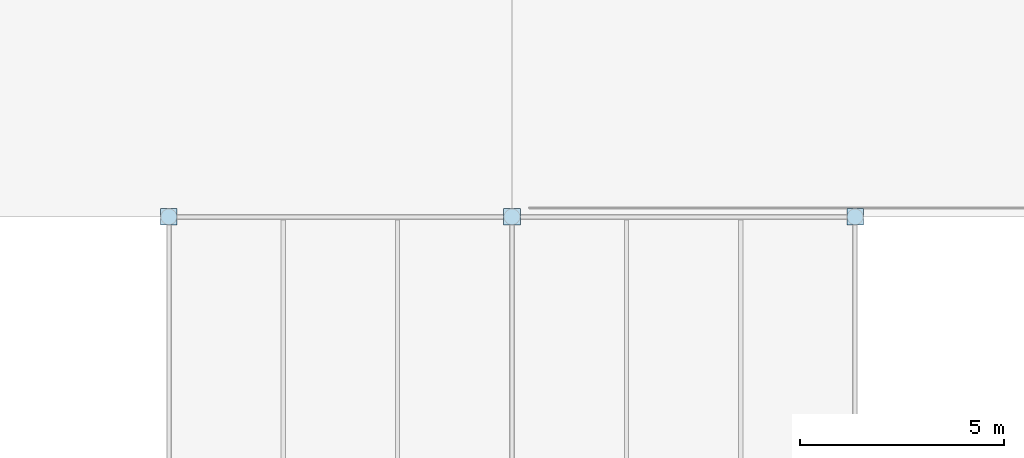
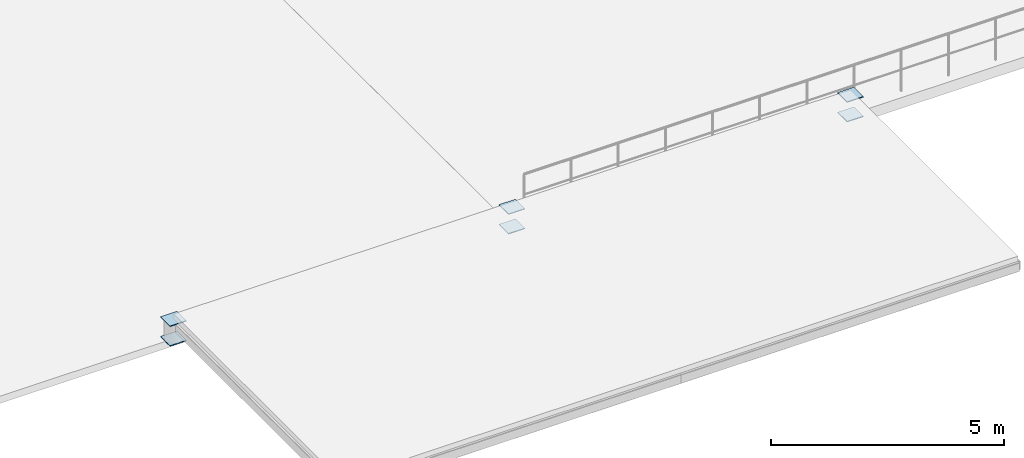
# One storey, part 56 of 73: 6 plates.
"""IFC4 building model written with IfcOpenShell, lengths in metres."""

from ifc_helpers import new_model, si_unit, derived_unit, direction, frame, origin, origin_2d, place, context, subcontext, project, spatial, rectangle, extrude, material, layer, layer_set, type_object, element, save


model = new_model("IFC4")

# Units and contexts
model_context = context("Model", 3, precision=1e-05, world=origin(), true_north=direction((0.0, 1.0)))
body_context = subcontext(model_context, "Body", "Model", "MODEL_VIEW")
ifc_project = project(units=[si_unit("LENGTHUNIT", "METRE"), si_unit("AREAUNIT", "SQUARE_METRE"), si_unit("VOLUMEUNIT", "CUBIC_METRE"), si_unit("PLANEANGLEUNIT", "RADIAN"), si_unit("MASSUNIT", "GRAM", prefix="KILO"), derived_unit("THERMALTRANSMITTANCEUNIT", [(si_unit("MASSUNIT", "GRAM", prefix="KILO"), 1), (si_unit("TIMEUNIT", "SECOND"), -3), (si_unit("THERMODYNAMICTEMPERATUREUNIT", "KELVIN"), -1)])], contexts=[model_context])

# Site, building, storey
site_placement = place(None, origin())
site = spatial("IfcSite", under=ifc_project, at=site_placement, CompositionType="ELEMENT")
building_placement = place(site_placement, origin())
building = spatial("IfcBuilding", under=site, at=building_placement, Name="Kharveza Railside Sports Centre", CompositionType="ELEMENT")
storey_placement = place(building_placement, frame((0.0, 0.0, 8.699951171875)))
storey = spatial("IfcBuildingStorey", under=building, at=storey_placement, Name="L02", CompositionType="ELEMENT", Elevation=8.699951171875)

# Plates
ifc_material = material(Name="Steel S355J2", Category="steel")
ifc_layer = layer(ifc_material, 0.02001953125, Name="Steel S355J2")
ifc_layer_set = layer_set([ifc_layer], Name="Steel S355J2")
plate_type = type_object("IfcPlateType", Name="PL-EC01", PredefinedType="USERDEFINED", material=ifc_layer_set)
for number, where, z_axis, x_axis, name in (
    (1, (84.0, 7.199951171875, -0.010009765625), (0.0, 0.0, 1.0), (1.0, 0.0, 0.0), "PLT-EC-006"),
    (2, (84.0, 7.199951171875, 0.505126953125), (0.0, 0.0, 1.0), (1.0, 0.0, 0.0), "PLT-EC-007"),
    (3, (92.39990234375, 7.199951171875, -0.010009765625), (0.0, 0.0, 1.0), (1.0, 0.0, 0.0), "PLT-EC-008"),
    (4, (92.39990234375, 7.199951171875, 0.505126953125), (0.0, 0.0, 1.0), (1.0, 0.0, 0.0), "PLT-EC-009"),
    (5, (100.800048828125, 7.199951171875, -0.010009765625), (0.0, 0.0, 1.0), (1.0, 0.0, 0.0), "PLT-EC-010"),
    (6, (100.800048828125, 7.199951171875, 0.505126953125), (0.0, 0.0, 1.0), (1.0, 0.0, 0.0), "PLT-EC-011"),
):
    element("IfcPlate", number, at=place(storey_placement, frame(where, z_axis=z_axis, x_axis=x_axis)), inside=storey, type_object=plate_type, Name=name, ObjectType="END_CAP_PLATE", PredefinedType="USERDEFINED", context=body_context, shape_type="SweptSolid", body=[
        extrude(rectangle(XDim=0.406005859375, YDim=0.406005859375, at=origin_2d()), origin(), (0.0, 0.0, 1.0), 0.02001953125),
    ])

save(model, "model.ifc")
